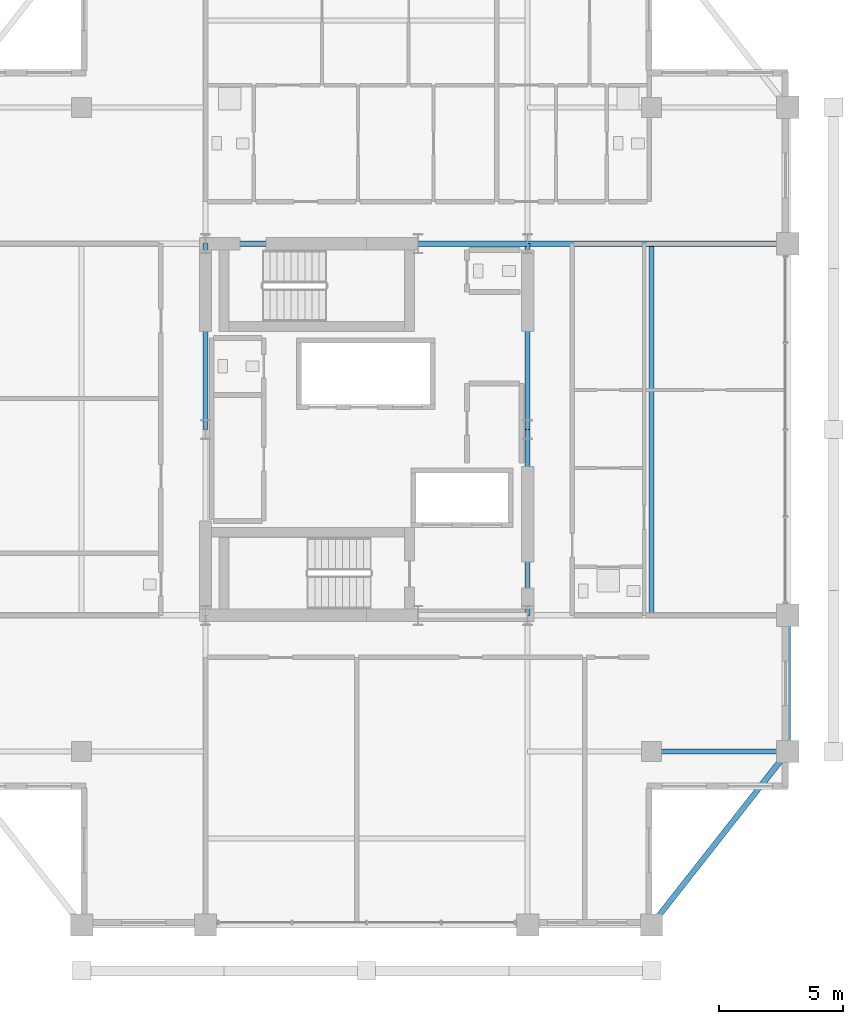
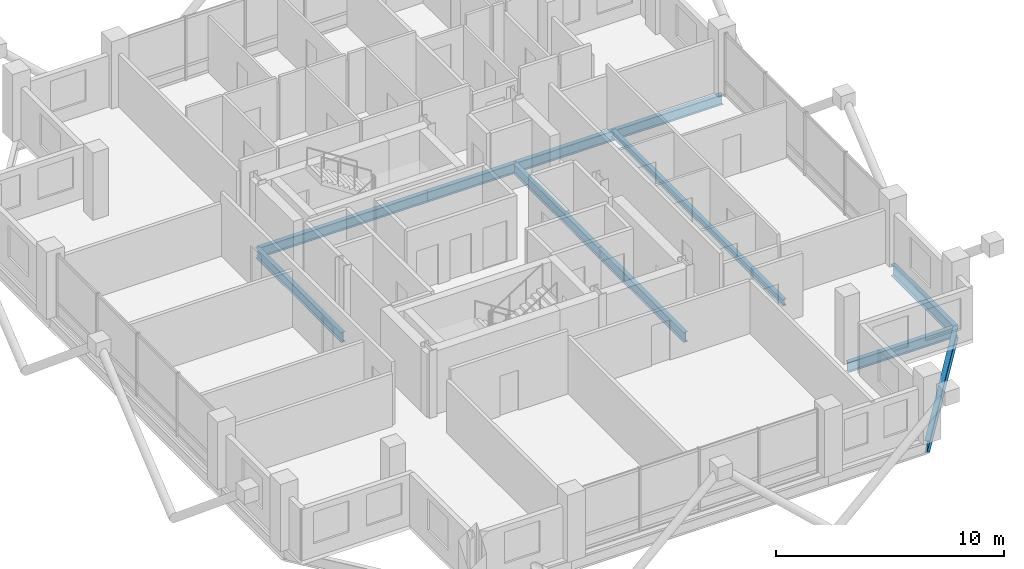
# One storey, part 10 of 23: 10 beams.
"""IFC4 building model written with IfcOpenShell, lengths in metres."""

from ifc_helpers import new_model, si_unit, direction, frame, origin, origin_2d, place, context, subcontext, project, spatial, i_section, extrude, material, material_profile, profile_set, type_object, element, save


model = new_model("IFC4")

# Units and contexts
model_context = context("Model", 3, precision=1e-05, world=origin(), true_north=direction((0.0, 1.0)))
body_context = subcontext(model_context, "Body", "Model", "MODEL_VIEW")
ifc_project = project(units=[si_unit("LENGTHUNIT", "METRE"), si_unit("AREAUNIT", "SQUARE_METRE"), si_unit("VOLUMEUNIT", "CUBIC_METRE"), si_unit("PLANEANGLEUNIT", "RADIAN"), si_unit("MASSUNIT", "GRAM", prefix="KILO")], contexts=[model_context])

# Site, building, storey
site_placement = place(None, origin())
site = spatial("IfcSite", under=ifc_project, at=site_placement, CompositionType="ELEMENT")
building_placement = place(site_placement, origin())
building = spatial("IfcBuilding", under=site, at=building_placement, Name="Barlavira Tower and Art Museum", CompositionType="ELEMENT")
storey_placement = place(building_placement, frame((0.0, 0.0, 279.89990234375)))
storey = spatial("IfcBuildingStorey", under=building, at=storey_placement, Name="L73", CompositionType="ELEMENT", Elevation=279.89990234375)

# Beams
ifc_material = material(Name="Steel S355", Category="steel")
ifc_material_profile_1 = material_profile(ifc_material, i_section(OverallWidth=0.22998046875, OverallDepth=0.616943359375, WebThickness=0.01318359375, FlangeThickness=0.022216796875, at=origin_2d()), Name="W610x140.0")
ifc_profile_set_1 = profile_set([ifc_material_profile_1], Name="Steel S355")
beam_type_1 = type_object("IfcBeamType", Name="Upper Shaft Spandrel Edge Beam W610x140 Steel S355", PredefinedType="SPANDREL", material=ifc_profile_set_1)
beam_1_placement = place(storey_placement, frame((11.5, -20.0, -0.5283203125), z_axis=(0.617821551932, 0.786318338822, 0.0), x_axis=(-0.786318338822, 0.617821551932, 0.0)))
element("IfcBeam", 1, at=beam_1_placement, inside=storey, type_object=beam_type_1, Name="L73 Spandrel 4", PredefinedType="SPANDREL", context=body_context, shape_type="SweptSolid", body=[
    extrude(i_section(OverallWidth=0.22998046875, OverallDepth=0.616943359375, WebThickness=0.01318359375, FlangeThickness=0.022216796875, at=origin_2d()), origin(), (0.0, 0.0, 1.0), 8.90234375),
])
beam_2_placement = place(storey_placement, frame((17.0, -13.0, -0.5283203125), z_axis=(0.0, 1.0, 0.0), x_axis=(-1.0, 0.0, 0.0)))
element("IfcBeam", 2, at=beam_2_placement, inside=storey, type_object=beam_type_1, Name="L73 Spandrel 5", PredefinedType="SPANDREL", context=body_context, shape_type="SweptSolid", body=[
    extrude(i_section(OverallWidth=0.22998046875, OverallDepth=0.616943359375, WebThickness=0.01318359375, FlangeThickness=0.022216796875, at=origin_2d()), origin(), (0.0, 0.0, 1.0), 5.5),
])
ifc_material_profile_2 = material_profile(ifc_material, i_section(OverallWidth=0.2109375, OverallDepth=0.5390625, WebThickness=0.01171875, FlangeThickness=0.018798828125, at=origin_2d()), Name="W530x109.0")
ifc_profile_set_2 = profile_set([ifc_material_profile_2], Name="Steel S355")
beam_type_2 = type_object("IfcBeamType", Name="Zone 3-4 Primary Floor Girder W530x109 Steel S355", PredefinedType="BEAM", material=ifc_profile_set_2)
beam_3_placement = place(storey_placement, frame((-6.5, 7.5, -0.489501953125), z_axis=(1.0, 0.0, 0.0), x_axis=(0.0, 1.0, 0.0)))
element("IfcBeam", 3, at=beam_3_placement, inside=storey, type_object=beam_type_2, Name="L73 Girder C-N1", PredefinedType="BEAM", context=body_context, shape_type="SweptSolid", body=[
    extrude(i_section(OverallWidth=0.2109375, OverallDepth=0.5390625, WebThickness=0.01171875, FlangeThickness=0.018798828125, at=origin_2d()), origin(), (0.0, 0.0, 1.0), 8.580078125),
])
beam_4_placement = place(storey_placement, frame((2.080078125, 7.5, -0.489501953125), z_axis=(1.0, 0.0, 0.0), x_axis=(0.0, 1.0, 0.0)))
element("IfcBeam", 4, at=beam_4_placement, inside=storey, type_object=beam_type_2, Name="L73 Girder C-N2", PredefinedType="BEAM", context=body_context, shape_type="SweptSolid", body=[
    extrude(i_section(OverallWidth=0.2109375, OverallDepth=0.5390625, WebThickness=0.01171875, FlangeThickness=0.018798828125, at=origin_2d()), origin(), (0.0, 0.0, 1.0), 4.419921875),
])
for number, where, z_axis, x_axis, name in (
    (5, (-6.5, 0.0, -0.489501953125), (0.0, 1.0, 0.0), (-1.0, 0.0, 0.0), "L73 Girder C-W2"),
    (6, (6.5, -7.5, -0.489501953125), (0.0, 1.0, 0.0), (-1.0, 0.0, 0.0), "L73 Girder C-E1"),
    (7, (6.5, 0.0, -0.489501953125), (0.0, 1.0, 0.0), (-1.0, 0.0, 0.0), "L73 Girder C-E2"),
):
    element("IfcBeam", number, at=place(storey_placement, frame(where, z_axis=z_axis, x_axis=x_axis)), inside=storey, type_object=beam_type_2, Name=name, PredefinedType="BEAM", context=body_context, shape_type="SweptSolid", body=[
        extrude(i_section(OverallWidth=0.2109375, OverallDepth=0.5390625, WebThickness=0.01171875, FlangeThickness=0.018798828125, at=origin_2d()), origin(), (0.0, 0.0, 1.0), 7.5),
    ])
beam_5_placement = place(storey_placement, frame((6.5, 7.5, -0.489501953125), z_axis=(1.0, 0.0, 0.0), x_axis=(0.0, 1.0, 0.0)))
element("IfcBeam", 8, at=beam_5_placement, inside=storey, type_object=beam_type_2, Name="L73 Girder R-E2", PredefinedType="BEAM", context=body_context, shape_type="SweptSolid", body=[
    extrude(i_section(OverallWidth=0.2109375, OverallDepth=0.5390625, WebThickness=0.01171875, FlangeThickness=0.018798828125, at=origin_2d()), origin(), (0.0, 0.0, 1.0), 10.5),
])
beam_6_placement = place(storey_placement, frame((11.5, -13.0, -0.489501953125), z_axis=(1.0, 0.0, 0.0), x_axis=(0.0, 1.0, 0.0)))
element("IfcBeam", 9, at=beam_6_placement, inside=storey, type_object=beam_type_2, Name="L73 Girder I-S4", PredefinedType="BEAM", context=body_context, shape_type="SweptSolid", body=[
    extrude(i_section(OverallWidth=0.2109375, OverallDepth=0.5390625, WebThickness=0.01171875, FlangeThickness=0.018798828125, at=origin_2d()), origin(), (0.0, 0.0, 1.0), 5.5),
])
ifc_material_profile_3 = material_profile(ifc_material, i_section(OverallWidth=0.202880859375, OverallDepth=0.346923828125, WebThickness=0.0078125, FlangeThickness=0.013427734375, at=origin_2d()), Name="W360x64.0")
ifc_profile_set_3 = profile_set([ifc_material_profile_3], Name="Steel S355")
beam_type_3 = type_object("IfcBeamType", Name="Zone 4 Composite Floor Joist W360x64 Steel S355", PredefinedType="JOIST", material=ifc_profile_set_3)
beam_7_placement = place(storey_placement, frame((11.5, -7.5, -0.393310546875), z_axis=(0.0, 1.0, 0.0), x_axis=(-1.0, 0.0, 0.0)))
element("IfcBeam", 10, at=beam_7_placement, inside=storey, type_object=beam_type_3, Name="L73 Joist W2", PredefinedType="JOIST", context=body_context, shape_type="SweptSolid", body=[
    extrude(i_section(OverallWidth=0.202880859375, OverallDepth=0.346923828125, WebThickness=0.0078125, FlangeThickness=0.013427734375, at=origin_2d()), origin(), (0.0, 0.0, 1.0), 15.0),
])

save(model, "model.ifc")
